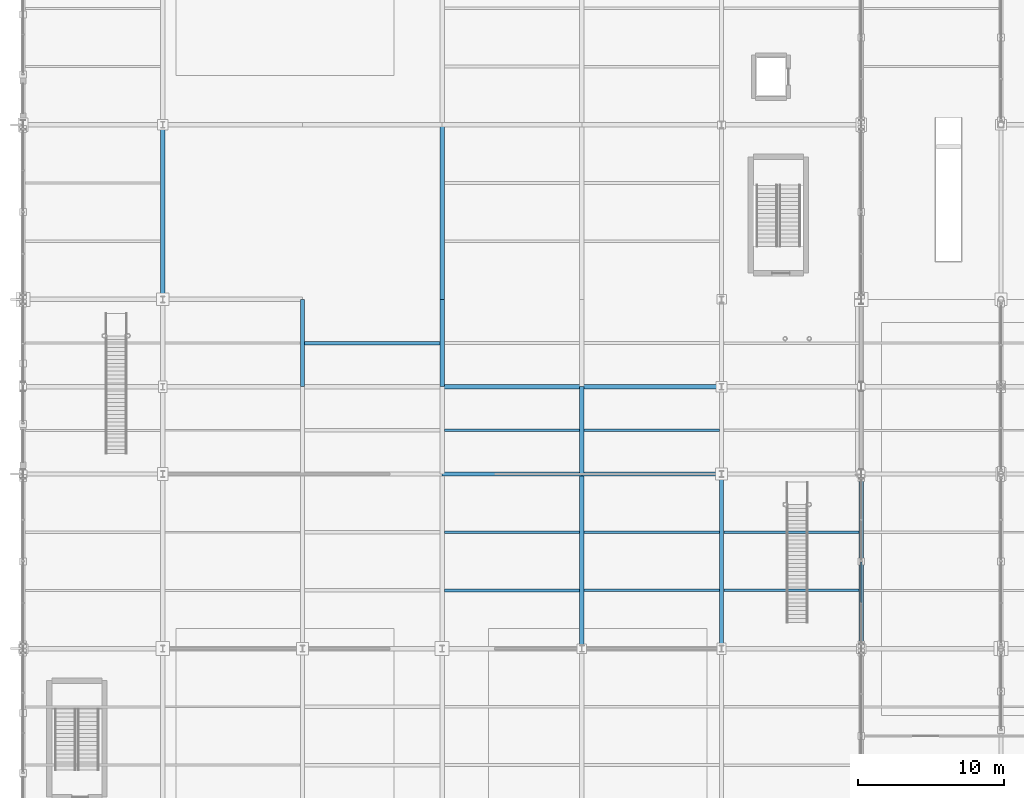
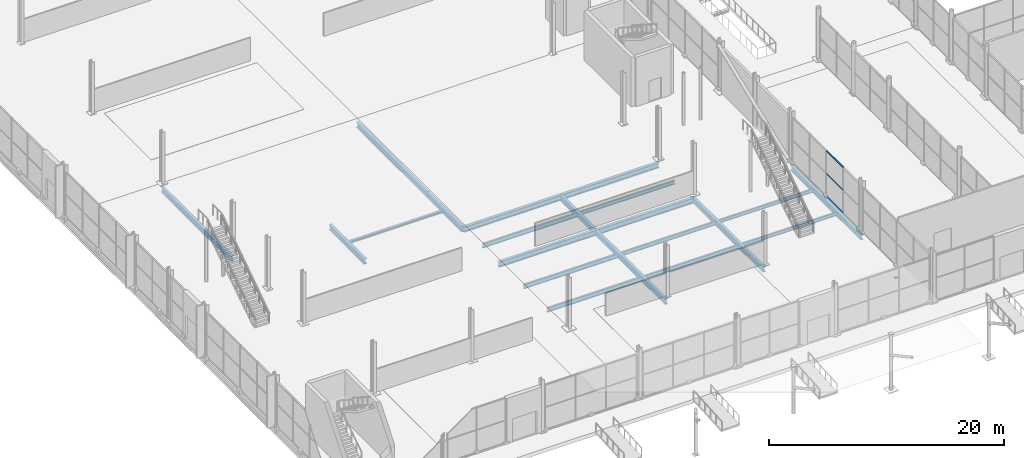
# One storey, part 53 of 196: 21 beams, 3 members, 1 element without a shape of its own.
"""IFC4 building model written with IfcOpenShell, lengths in metres."""

from ifc_helpers import new_model, si_unit, direction, frame, origin, origin_2d, place, context, subcontext, project, spatial, hollow_rectangle, i_section, extrude, material, material_profile, profile_set, type_object, element, aggregate, save


model = new_model("IFC4")

# Units and contexts
model_context = context("Model", 3, precision=1e-05, world=origin(), true_north=direction((0.0, 1.0)))
body_context = subcontext(model_context, "Body", "Model", "MODEL_VIEW")
ifc_project = project(units=[si_unit("LENGTHUNIT", "METRE"), si_unit("AREAUNIT", "SQUARE_METRE"), si_unit("VOLUMEUNIT", "CUBIC_METRE"), si_unit("PLANEANGLEUNIT", "RADIAN"), si_unit("MASSUNIT", "GRAM", prefix="KILO")], contexts=[model_context])

# Site, building, storey
site_placement = place(None, origin())
site = spatial("IfcSite", under=ifc_project, at=site_placement, CompositionType="ELEMENT")
building_placement = place(site_placement, origin())
building = spatial("IfcBuilding", under=site, at=building_placement, Name="Merenkruunu Market Hall", CompositionType="ELEMENT")
storey_placement = place(building_placement, origin())
storey = spatial("IfcBuildingStorey", under=building, at=storey_placement, Name="L00", CompositionType="ELEMENT", Elevation=0.0)

# Curtain wall, members
ifc_material_1 = material(Name="Powder-coated aluminium", Category="aluminium")
curtain_wall_type = type_object("IfcCurtainWallType", Name="Glazed Curtain Wall CW02", PredefinedType="USERDEFINED", material=ifc_material_1)
curtain_wall_placement = place(storey_placement, origin())
curtain_wall = element("IfcCurtainWall", 1, at=curtain_wall_placement, inside=storey, type_object=curtain_wall_type, Name="CW-L00-CWM01-124", ObjectType="GLAZED_FACADE", PredefinedType="USERDEFINED")
ifc_material_profile_1 = material_profile(ifc_material_1, hollow_rectangle(XDim=0.06005859375, YDim=0.125, WallThickness=0.00390625, at=origin_2d()), Name="ALU 60x125x4")
ifc_profile_set_1 = profile_set([ifc_material_profile_1], Name="Powder-coated aluminium")
member_type = type_object("IfcMemberType", Name="Curtain Wall Transom CWT01", PredefinedType="USERDEFINED", material=ifc_profile_set_1)
member_1_placement = place(storey_placement, frame((57.60009765625, 30.77001953125, 0.030029296875), z_axis=(0.0, 1.0, 0.0), x_axis=(0.0, 0.0, 1.0)))
member_1 = element("IfcMember", 2, at=member_1_placement, type_object=member_type, Name="CW02 transom 2.1", ObjectType="TRANSOM", PredefinedType="USERDEFINED", context=body_context, shape_type="SweptSolid", body=[
    extrude(hollow_rectangle(XDim=0.06005859375, YDim=0.125, WallThickness=0.00390625, at=origin_2d()), origin(), (0.0, 0.0, 1.0), 2.800048828125),
])
member_2_placement = place(storey_placement, frame((57.60009765625, 30.77001953125, 2.375), z_axis=(0.0, 1.0, 0.0), x_axis=(0.0, 0.0, 1.0)))
member_2 = element("IfcMember", 3, at=member_2_placement, type_object=member_type, Name="CW02 transom 2.2", ObjectType="TRANSOM", PredefinedType="USERDEFINED", context=body_context, shape_type="SweptSolid", body=[
    extrude(hollow_rectangle(XDim=0.06005859375, YDim=0.125, WallThickness=0.00390625, at=origin_2d()), origin(), (0.0, 0.0, 1.0), 2.800048828125),
])
member_3_placement = place(storey_placement, frame((57.60009765625, 30.77001953125, 4.719970703125), z_axis=(0.0, 1.0, 0.0), x_axis=(0.0, 0.0, 1.0)))
member_3 = element("IfcMember", 4, at=member_3_placement, type_object=member_type, Name="CW02 transom 2.3", ObjectType="TRANSOM", PredefinedType="USERDEFINED", context=body_context, shape_type="SweptSolid", body=[
    extrude(hollow_rectangle(XDim=0.06005859375, YDim=0.125, WallThickness=0.00390625, at=origin_2d()), origin(), (0.0, 0.0, 1.0), 2.800048828125),
])
aggregate(curtain_wall, [member_1, member_2, member_3])

# Beams
ifc_material_2 = material(Name="Steel S355J2", Category="steel")
ifc_material_profile_2 = material_profile(ifc_material_2, i_section(OverallWidth=0.300048828125, OverallDepth=0.550048828125, WebThickness=0.014892578125, FlangeThickness=0.029052734375, FilletRadius=0.027099609375, at=origin_2d()), Name="HEB 550")
ifc_profile_set_2 = profile_set([ifc_material_profile_2], Name="Steel S355J2")
beam_type_1 = type_object("IfcBeamType", Name="Primary Floor Girder B02", PredefinedType="BEAM", material=ifc_profile_set_2)
beam_1_placement = place(storey_placement, frame((28.800048828125, 39.60009765625, -0.614990234375), z_axis=(1.0, 0.0, 0.0), x_axis=(0.0, 1.0, 0.0)))
element("IfcBeam", 5, at=beam_1_placement, inside=storey, type_object=beam_type_1, Name="BM-L00-B02-0048", PredefinedType="BEAM", context=body_context, shape_type="SweptSolid", body=[
    extrude(i_section(OverallWidth=0.300048828125, OverallDepth=0.550048828125, WebThickness=0.014892578125, FlangeThickness=0.029052734375, FilletRadius=0.027099609375, at=origin_2d()), origin(), (0.0, 0.0, 1.0), 9.599853515625),
])
beam_2_placement = place(storey_placement, frame((38.39990234375, 39.60009765625, -0.614990234375), z_axis=(1.0, 0.0, 0.0), x_axis=(0.0, 1.0, 0.0)))
element("IfcBeam", 6, at=beam_2_placement, inside=storey, type_object=beam_type_1, Name="BM-L00-B02-0049", PredefinedType="BEAM", context=body_context, shape_type="SweptSolid", body=[
    extrude(i_section(OverallWidth=0.300048828125, OverallDepth=0.550048828125, WebThickness=0.014892578125, FlangeThickness=0.029052734375, FilletRadius=0.027099609375, at=origin_2d()), origin(), (0.0, 0.0, 1.0), 9.60009765625),
])
beam_3_placement = place(storey_placement, frame((28.800048828125, 45.60009765625, -0.614990234375), z_axis=(1.0, 0.0, 0.0), x_axis=(0.0, 1.0, 0.0)))
element("IfcBeam", 7, at=beam_3_placement, inside=storey, type_object=beam_type_1, Name="BM-L00-B02-0066", PredefinedType="BEAM", context=body_context, shape_type="SweptSolid", body=[
    extrude(i_section(OverallWidth=0.300048828125, OverallDepth=0.550048828125, WebThickness=0.014892578125, FlangeThickness=0.029052734375, FilletRadius=0.027099609375, at=origin_2d()), origin(), (0.0, 0.0, 1.0), 9.599853515625),
])
beam_4_placement = place(storey_placement, frame((38.39990234375, 45.60009765625, -0.614990234375), z_axis=(1.0, 0.0, 0.0), x_axis=(0.0, 1.0, 0.0)))
element("IfcBeam", 8, at=beam_4_placement, inside=storey, type_object=beam_type_1, Name="BM-L00-B02-0067", PredefinedType="BEAM", context=body_context, shape_type="SweptSolid", body=[
    extrude(i_section(OverallWidth=0.300048828125, OverallDepth=0.550048828125, WebThickness=0.014892578125, FlangeThickness=0.029052734375, FilletRadius=0.027099609375, at=origin_2d()), origin(), (0.0, 0.0, 1.0), 9.60009765625),
])
ifc_material_profile_3 = material_profile(ifc_material_2, i_section(OverallWidth=0.300048828125, OverallDepth=0.5400390625, WebThickness=0.012451171875, FlangeThickness=0.02392578125, FilletRadius=0.027099609375, at=origin_2d()), Name="HEA 550")
ifc_profile_set_3 = profile_set([ifc_material_profile_3], Name="Steel S355J2")
beam_type_2 = type_object("IfcBeamType", Name="Primary Floor Girder B06", PredefinedType="BEAM", material=ifc_profile_set_3)
beam_5_placement = place(storey_placement, frame((9.60009765625, 51.60009765625, -0.610107421875), z_axis=(0.0, 1.0, 0.0), x_axis=(-1.0, 0.0, 0.0)))
element("IfcBeam", 9, at=beam_5_placement, inside=storey, type_object=beam_type_2, Name="BM-L00-B06-0149", PredefinedType="BEAM", context=body_context, shape_type="SweptSolid", body=[
    extrude(i_section(OverallWidth=0.300048828125, OverallDepth=0.5400390625, WebThickness=0.012451171875, FlangeThickness=0.02392578125, FilletRadius=0.027099609375, at=origin_2d()), origin(), (0.0, 0.0, 1.0), 12.0),
])
for number, where, z_axis, x_axis, name in (
    (10, (19.199951171875, 45.60009765625, -0.610107421875), (0.0, 1.0, 0.0), (-1.0, 0.0, 0.0), "BM-L00-B06-0157"),
    (11, (28.800048828125, 45.60009765625, -0.610107421875), (0.0, 1.0, 0.0), (-1.0, 0.0, 0.0), "BM-L00-B06-0161"),
):
    element("IfcBeam", number, at=place(storey_placement, frame(where, z_axis=z_axis, x_axis=x_axis)), inside=storey, type_object=beam_type_2, Name=name, PredefinedType="BEAM", context=body_context, shape_type="SweptSolid", body=[
        extrude(i_section(OverallWidth=0.300048828125, OverallDepth=0.5400390625, WebThickness=0.012451171875, FlangeThickness=0.02392578125, FilletRadius=0.027099609375, at=origin_2d()), origin(), (0.0, 0.0, 1.0), 6.0),
    ])
for number, where, z_axis, x_axis, name in (
    (12, (28.800048828125, 51.60009765625, -0.610107421875), (0.0, 1.0, 0.0), (-1.0, 0.0, 0.0), "BM-L00-B06-0162"),
    (13, (38.39990234375, 27.60009765625, -0.610107421875), (0.0, 1.0, 0.0), (-1.0, 0.0, 0.0), "BM-L00-B06-0168"),
):
    element("IfcBeam", number, at=place(storey_placement, frame(where, z_axis=z_axis, x_axis=x_axis)), inside=storey, type_object=beam_type_2, Name=name, PredefinedType="BEAM", context=body_context, shape_type="SweptSolid", body=[
        extrude(i_section(OverallWidth=0.300048828125, OverallDepth=0.5400390625, WebThickness=0.012451171875, FlangeThickness=0.02392578125, FilletRadius=0.027099609375, at=origin_2d()), origin(), (0.0, 0.0, 1.0), 12.0),
    ])
beam_6_placement = place(storey_placement, frame((38.39990234375, 39.60009765625, -0.610107421875), z_axis=(0.0, 1.0, 0.0), x_axis=(-1.0, 0.0, 0.0)))
element("IfcBeam", 14, at=beam_6_placement, inside=storey, type_object=beam_type_2, Name="BM-L00-B06-0169", PredefinedType="BEAM", context=body_context, shape_type="SweptSolid", body=[
    extrude(i_section(OverallWidth=0.300048828125, OverallDepth=0.5400390625, WebThickness=0.012451171875, FlangeThickness=0.02392578125, FilletRadius=0.027099609375, at=origin_2d()), origin(), (0.0, 0.0, 1.0), 6.0),
])
for number, where, z_axis, x_axis, name in (
    (15, (48.0, 27.60009765625, -0.610107421875), (0.0, 1.0, 0.0), (-1.0, 0.0, 0.0), "BM-L00-B06-0177"),
    (16, (57.60009765625, 27.60009765625, -0.610107421875), (0.0, 1.0, 0.0), (-1.0, 0.0, 0.0), "BM-L00-B06-0186"),
):
    element("IfcBeam", number, at=place(storey_placement, frame(where, z_axis=z_axis, x_axis=x_axis)), inside=storey, type_object=beam_type_2, Name=name, PredefinedType="BEAM", context=body_context, shape_type="SweptSolid", body=[
        extrude(i_section(OverallWidth=0.300048828125, OverallDepth=0.5400390625, WebThickness=0.012451171875, FlangeThickness=0.02392578125, FilletRadius=0.027099609375, at=origin_2d()), origin(), (0.0, 0.0, 1.0), 12.0),
    ])
ifc_material_profile_4 = material_profile(ifc_material_2, i_section(OverallWidth=0.18994140625, OverallDepth=0.449951171875, WebThickness=0.009521484375, FlangeThickness=0.0146484375, FilletRadius=0.02099609375, at=origin_2d()), Name="IPE 450")
ifc_profile_set_4 = profile_set([ifc_material_profile_4], Name="Steel S355J2")
beam_type_3 = type_object("IfcBeamType", Name="Secondary Floor Joist J01", PredefinedType="JOIST", material=ifc_profile_set_4)
for number, where, z_axis, x_axis, name in (
    (17, (28.952880859375, 31.60009765625, -0.56494140625), (1.0, 0.0, 0.0), (0.0, 1.0, 0.0), "BM-L00-J01-0304"),
    (18, (28.952880859375, 35.60009765625, -0.56494140625), (1.0, 0.0, 0.0), (0.0, 1.0, 0.0), "BM-L00-J01-0305"),
    (19, (28.952880859375, 42.60009765625, -0.56494140625), (1.0, 0.0, 0.0), (0.0, 1.0, 0.0), "BM-L00-J01-0306"),
):
    element("IfcBeam", number, at=place(storey_placement, frame(where, z_axis=z_axis, x_axis=x_axis)), inside=storey, type_object=beam_type_3, Name=name, PredefinedType="JOIST", context=body_context, shape_type="SweptSolid", body=[
        extrude(i_section(OverallWidth=0.18994140625, OverallDepth=0.449951171875, WebThickness=0.009521484375, FlangeThickness=0.0146484375, FilletRadius=0.02099609375, at=origin_2d()), origin(), (0.0, 0.0, 1.0), 9.294189453125),
    ])
ifc_material_profile_5 = material_profile(ifc_material_2, i_section(OverallWidth=0.179931640625, OverallDepth=0.39990234375, WebThickness=0.008544921875, FlangeThickness=0.013427734375, FilletRadius=0.02099609375, at=origin_2d()), Name="IPE 400")
ifc_profile_set_5 = profile_set([ifc_material_profile_5], Name="Steel S355J2")
beam_type_4 = type_object("IfcBeamType", Name="Secondary Floor Joist J02", PredefinedType="JOIST", material=ifc_profile_set_5)
for number, where, z_axis, x_axis, name in (
    (20, (38.552978515625, 31.60009765625, -0.5400390625), (1.0, 0.0, 0.0), (0.0, 1.0, 0.0), "BM-L00-J02-0319"),
    (21, (38.552978515625, 35.60009765625, -0.5400390625), (1.0, 0.0, 0.0), (0.0, 1.0, 0.0), "BM-L00-J02-0320"),
    (22, (38.552978515625, 42.60009765625, -0.5400390625), (1.0, 0.0, 0.0), (0.0, 1.0, 0.0), "BM-L00-J02-0321"),
):
    element("IfcBeam", number, at=place(storey_placement, frame(where, z_axis=z_axis, x_axis=x_axis)), inside=storey, type_object=beam_type_4, Name=name, PredefinedType="JOIST", context=body_context, shape_type="SweptSolid", body=[
        extrude(i_section(OverallWidth=0.179931640625, OverallDepth=0.39990234375, WebThickness=0.008544921875, FlangeThickness=0.013427734375, FilletRadius=0.02099609375, at=origin_2d()), origin(), (0.0, 0.0, 1.0), 9.2939453125),
    ])
ifc_material_profile_6 = material_profile(ifc_material_2, i_section(OverallWidth=0.169921875, OverallDepth=0.360107421875, WebThickness=0.008056640625, FlangeThickness=0.0126953125, FilletRadius=0.01806640625, at=origin_2d()), Name="IPE 360")
ifc_profile_set_6 = profile_set([ifc_material_profile_6], Name="Steel S355J2")
beam_type_5 = type_object("IfcBeamType", Name="Secondary Floor Joist J03", PredefinedType="JOIST", material=ifc_profile_set_6)
for number, where, z_axis, x_axis, name in (
    (23, (48.153076171875, 31.60009765625, -0.52001953125), (1.0, 0.0, 0.0), (0.0, 1.0, 0.0), "BM-L00-J03-0335"),
    (24, (48.153076171875, 35.60009765625, -0.52001953125), (1.0, 0.0, 0.0), (0.0, 1.0, 0.0), "BM-L00-J03-0336"),
):
    element("IfcBeam", number, at=place(storey_placement, frame(where, z_axis=z_axis, x_axis=x_axis)), inside=storey, type_object=beam_type_5, Name=name, PredefinedType="JOIST", context=body_context, shape_type="SweptSolid", body=[
        extrude(i_section(OverallWidth=0.169921875, OverallDepth=0.360107421875, WebThickness=0.008056640625, FlangeThickness=0.0126953125, FilletRadius=0.01806640625, at=origin_2d()), origin(), (0.0, 0.0, 1.0), 9.2939453125),
    ])
ifc_material_profile_7 = material_profile(ifc_material_2, i_section(OverallWidth=0.239990234375, OverallDepth=0.22998046875, WebThickness=0.007568359375, FlangeThickness=0.011962890625, FilletRadius=0.02099609375, at=origin_2d()), Name="HEA 240")
ifc_profile_set_7 = profile_set([ifc_material_profile_7], Name="Steel S355J2")
beam_type_6 = type_object("IfcBeamType", Name="Secondary Floor Joist J06", PredefinedType="JOIST", material=ifc_profile_set_7)
beam_7_placement = place(storey_placement, frame((19.35302734375, 48.60009765625, -0.455078125), z_axis=(1.0, 0.0, 0.0), x_axis=(0.0, 1.0, 0.0)))
element("IfcBeam", 25, at=beam_7_placement, inside=storey, type_object=beam_type_6, Name="BM-L00-J06-0301", PredefinedType="JOIST", context=body_context, shape_type="SweptSolid", body=[
    extrude(i_section(OverallWidth=0.239990234375, OverallDepth=0.22998046875, WebThickness=0.007568359375, FlangeThickness=0.011962890625, FilletRadius=0.02099609375, at=origin_2d()), origin(), (0.0, 0.0, 1.0), 9.2939453125),
])

save(model, "model.ifc")
